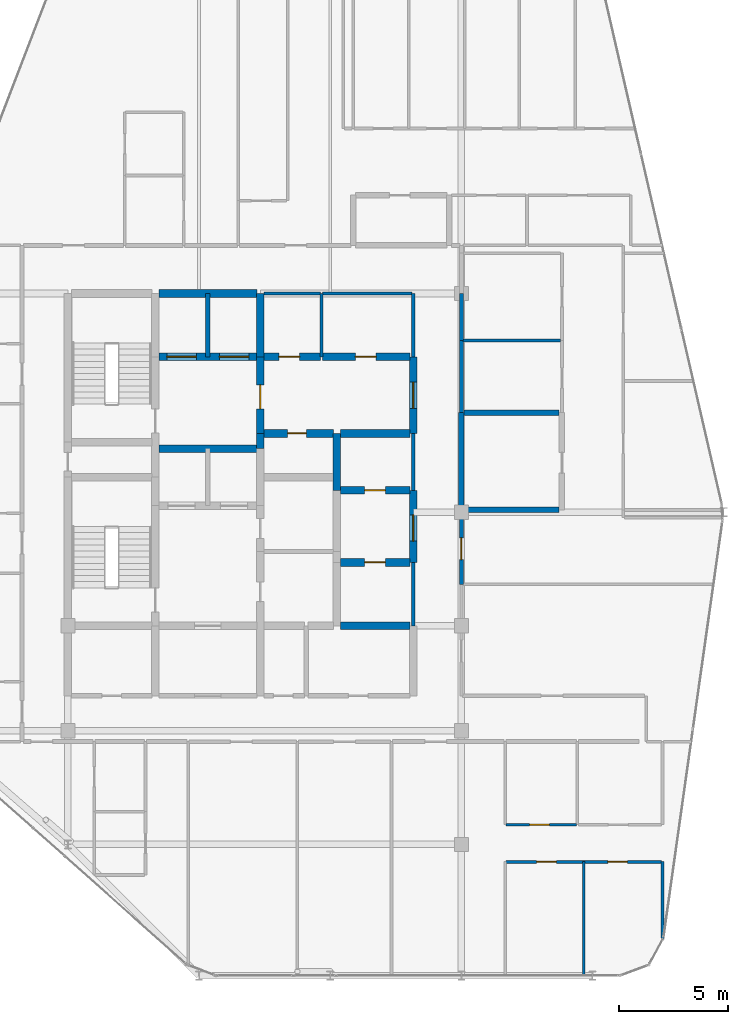
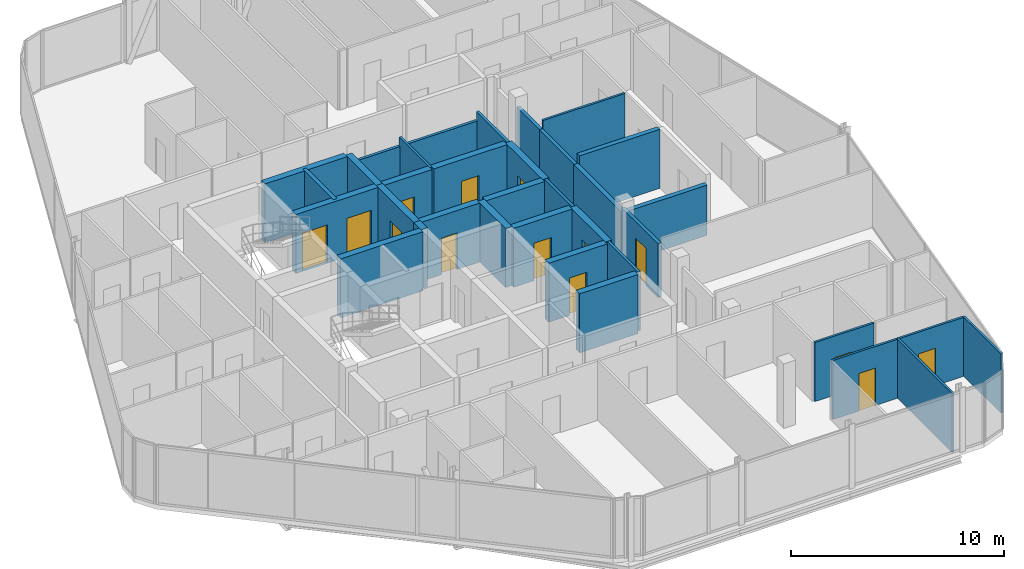
# One storey, part 24 of 27: 34 walls, 14 doors, 14 openings.
"""IFC4 building model written with IfcOpenShell, lengths in metres."""

from ifc_helpers import new_model, si_unit, direction, frame, frame_2d, origin, place, context, subcontext, project, spatial, rectangle, extrude, material, layer, layer_set, type_object, element, fill, save


model = new_model("IFC4")

# Units and contexts
model_context = context("Model", 3, precision=1e-05, world=origin(), true_north=direction((0.0, 1.0)))
body_context = subcontext(model_context, "Body", "Model", "MODEL_VIEW")
ifc_project = project(units=[si_unit("LENGTHUNIT", "METRE"), si_unit("AREAUNIT", "SQUARE_METRE"), si_unit("VOLUMEUNIT", "CUBIC_METRE"), si_unit("PLANEANGLEUNIT", "RADIAN"), si_unit("MASSUNIT", "GRAM", prefix="KILO")], contexts=[model_context])

# Site, building, storey
site_placement = place(None, origin())
site = spatial("IfcSite", under=ifc_project, at=site_placement, CompositionType="ELEMENT")
building_placement = place(site_placement, origin())
building = spatial("IfcBuilding", under=site, at=building_placement, Name="Keshet Zoharim Tower", CompositionType="ELEMENT")
storey_placement = place(building_placement, frame((0.0, 0.0, 291.699951171875)))
storey = spatial("IfcBuildingStorey", under=building, at=storey_placement, Name="L73", CompositionType="ELEMENT", Elevation=291.699951171875)

# Walls
ifc_material_1 = material(Name="Gypsum Plasterboard", Category="gypsum")
ifc_layer_1 = layer(ifc_material_1, 0.14990234375)
ifc_layer_set_1 = layer_set([ifc_layer_1], Name="Gypsum Plasterboard")
wall_type_1 = type_object("IfcWallType", Name="WL-CLIN-150", PredefinedType="STANDARD", material=ifc_layer_set_1)
wall_1_placement = place(storey_placement, frame((30.800048828125, 22.699951171875, 0.0), z_axis=(0.0, 0.0, 1.0), x_axis=(0.0, 1.0, 0.0)))
element("IfcWall", 1, at=wall_1_placement, inside=storey, type_object=wall_type_1, Name="L73 Interior Wall 055", PredefinedType="STANDARD", context=body_context, shape_type="SweptSolid", body=[
    extrude(rectangle(XDim=2.900146484375, YDim=0.14990234375, at=frame_2d((1.4501953125, 0.0))), origin(), (0.0, 0.0, 1.0), 3.39013671875),
])
wall_2_placement = place(storey_placement, frame((30.800048828125, 28.89990234375, 0.0), z_axis=(0.0, 0.0, 1.0), x_axis=(0.0, 1.0, 0.0)))
element("IfcWall", 2, at=wall_2_placement, inside=storey, type_object=wall_type_1, Name="L73 Interior Wall 057", PredefinedType="STANDARD", context=body_context, shape_type="SweptSolid", body=[
    extrude(rectangle(XDim=2.60009765625, YDim=0.14990234375, at=frame_2d((1.300048828125, 0.0))), origin(), (0.0, 0.0, 1.0), 3.39013671875),
])
wall_3_placement = place(storey_placement, frame((30.800048828125, 35.0, 0.0), z_axis=(0.0, 0.0, 1.0), x_axis=(0.0, 1.0, 0.0)))
element("IfcWall", 3, at=wall_3_placement, inside=storey, type_object=wall_type_1, Name="L73 Interior Wall 059", PredefinedType="STANDARD", context=body_context, shape_type="SweptSolid", body=[
    extrude(rectangle(XDim=2.89990234375, YDim=0.14990234375, at=frame_2d((1.449951171875, 0.0))), origin(), (0.0, 0.0, 1.0), 3.39013671875),
])
wall_4_placement = place(storey_placement, frame((23.9599609375, 37.89990234375, 0.0), z_axis=(0.0, 0.0, 1.0), x_axis=(1.0, 0.0, 0.0)))
element("IfcWall", 4, at=wall_4_placement, inside=storey, type_object=wall_type_1, Name="L73 Interior Wall 147", PredefinedType="STANDARD", context=body_context, shape_type="SweptSolid", body=[
    extrude(rectangle(XDim=2.594970703125, YDim=0.14990234375, at=frame_2d((1.29736328125, 0.0))), origin(), (0.0, 0.0, 1.0), 2.89013671875),
])
wall_5_placement = place(storey_placement, frame((26.64501953125, 37.89990234375, 0.0), z_axis=(0.0, 0.0, 1.0), x_axis=(1.0, 0.0, 0.0)))
element("IfcWall", 5, at=wall_5_placement, inside=storey, type_object=wall_type_1, Name="L73 Interior Wall 148", PredefinedType="STANDARD", context=body_context, shape_type="SweptSolid", body=[
    extrude(rectangle(XDim=4.094970703125, YDim=0.14990234375, at=frame_2d((2.04736328125, 0.0))), origin(), (0.0, 0.0, 1.0), 2.89013671875),
])
ifc_material_2 = material(Name="Concrete C60/75", Category="concrete")
ifc_layer_2 = layer(ifc_material_2, 0.35009765625)
ifc_layer_set_2 = layer_set([ifc_layer_2], Name="Concrete C60/75")
wall_type_2 = type_object("IfcWallType", Name="WL-CORE-350", PredefinedType="SHEAR", material=ifc_layer_set_2)
wall_6_placement = place(storey_placement, frame((23.800048828125, 30.800048828125, 0.0), z_axis=(0.0, 0.0, 1.0), x_axis=(0.0, 1.0, 0.0)))
element("IfcWall", 6, at=wall_6_placement, inside=storey, type_object=wall_type_2, Name="L73 Core Shear Wall 038", PredefinedType="SHEAR", context=body_context, shape_type="SweptSolid", body=[
    extrude(rectangle(XDim=0.699951171875, YDim=0.35009765625, at=frame_2d((0.35009765625, 0.0))), origin(), (0.0, 0.0, 1.0), 3.39013671875),
])

# Wall, opening, door
wall_7_placement = place(storey_placement, frame((23.800048828125, 31.5, 0.0), z_axis=(0.0, 0.0, 1.0), x_axis=(0.0, 1.0, 0.0)))
wall_7 = element("IfcWall", 7, at=wall_7_placement, inside=storey, type_object=wall_type_2, Name="L73 Core Shear Wall 039", PredefinedType="SHEAR", context=body_context, shape_type="SweptSolid", body=[
    extrude(rectangle(XDim=3.5, YDim=0.35009765625, at=frame_2d((1.75, 0.0))), origin(), (0.0, 0.0, 1.0), 3.39013671875),
])
opening_1_placement = place(wall_7_placement, frame((1.126953125, 0.0, 0.0)))
opening_1 = element("IfcOpeningElement", 8, at=opening_1_placement, cuts=wall_7, Name="Opening D-F611", PredefinedType="OPENING", context=body_context, shape_type="SweptSolid", body=[
    extrude(rectangle(XDim=1.10009765625, YDim=2.14990234375, at=frame_2d((0.550048828125, 1.074951171875))), frame((0.0, 0.18505859375, 0.0), z_axis=(0.0, -1.0, 0.0), x_axis=(1.0, 0.0, 0.0)), (0.0, 0.0, 1.0), 0.3701171875),
])
ifc_material_3 = material(Name="Hardwood Timber", Category="wood")
door_type_1 = type_object("IfcDoorType", Name="DR-FD60-110", OperationType="NOTDEFINED", PredefinedType="DOOR", material=ifc_material_3)
door_1_placement = place(opening_1_placement, origin())
door_1 = element("IfcDoor", 9, at=door_1_placement, inside=storey, type_object=door_type_1, Name="L73 Firefighting Lobby Fire Door", OperationType="SINGLE_SWING_LEFT", OverallHeight=2.14990234375, OverallWidth=1.10009765625, PredefinedType="DOOR", context=body_context, shape_type="SweptSolid", body=[
    extrude(rectangle(XDim=1.10009765625, YDim=2.14990234375, at=frame_2d((0.550048828125, 1.074951171875))), frame((0.0, 0.02490234375, 0.0), z_axis=(0.0, -1.0, 0.0), x_axis=(1.0, 0.0, 0.0)), (0.0, 0.0, 1.0), 0.050048828125),
])
fill(opening_1, door_1)

# Walls
wall_8_placement = place(storey_placement, frame((23.800048828125, 35.0, 0.0), z_axis=(0.0, 0.0, 1.0), x_axis=(0.0, 1.0, 0.0)))
element("IfcWall", 10, at=wall_8_placement, inside=storey, type_object=wall_type_2, Name="L73 Core Shear Wall 040", PredefinedType="SHEAR", context=body_context, shape_type="SweptSolid", body=[
    extrude(rectangle(XDim=2.89990234375, YDim=0.35009765625, at=frame_2d((1.449951171875, 0.0))), origin(), (0.0, 0.0, 1.0), 3.39013671875),
])
wall_9_placement = place(storey_placement, frame((27.300048828125, 28.89990234375, 0.0), z_axis=(0.0, 0.0, 1.0), x_axis=(0.0, 1.0, 0.0)))
element("IfcWall", 11, at=wall_9_placement, inside=storey, type_object=wall_type_2, Name="L73 Core Shear Wall 048", PredefinedType="SHEAR", context=body_context, shape_type="SweptSolid", body=[
    extrude(rectangle(XDim=2.60009765625, YDim=0.35009765625, at=frame_2d((1.300048828125, 0.0))), origin(), (0.0, 0.0, 1.0), 3.39013671875),
])

# Wall, opening, door
wall_10_placement = place(storey_placement, frame((30.800048828125, 25.60009765625, 0.0), z_axis=(0.0, 0.0, 1.0), x_axis=(0.0, 1.0, 0.0)))
wall_10 = element("IfcWall", 12, at=wall_10_placement, inside=storey, type_object=wall_type_2, Name="L73 Core Shear Wall 056", PredefinedType="SHEAR", context=body_context, shape_type="SweptSolid", body=[
    extrude(rectangle(XDim=3.2998046875, YDim=0.35009765625, at=frame_2d((1.64990234375, 0.0))), origin(), (0.0, 0.0, 1.0), 3.39013671875),
])
opening_2_placement = place(wall_10_placement, frame((0.97802734375, 0.0, 0.0)))
opening_2 = element("IfcOpeningElement", 13, at=opening_2_placement, cuts=wall_10, Name="Opening D-F612", PredefinedType="OPENING", context=body_context, shape_type="SweptSolid", body=[
    extrude(rectangle(XDim=1.199951171875, YDim=2.199951171875, at=frame_2d((0.60009765625, 1.10009765625))), frame((0.0, 0.18505859375, 0.0), z_axis=(0.0, -1.0, 0.0), x_axis=(1.0, 0.0, 0.0)), (0.0, 0.0, 1.0), 0.3701171875),
])
door_type_2 = type_object("IfcDoorType", Name="DR-FD60-120", OperationType="NOTDEFINED", PredefinedType="DOOR", material=ifc_material_3)
door_2_placement = place(opening_2_placement, origin())
door_2 = element("IfcDoor", 14, at=door_2_placement, inside=storey, type_object=door_type_2, Name="L73 East Lift Lobby Fire Door", OperationType="SINGLE_SWING_RIGHT", OverallHeight=2.199951171875, OverallWidth=1.199951171875, PredefinedType="DOOR", context=body_context, shape_type="SweptSolid", body=[
    extrude(rectangle(XDim=1.199951171875, YDim=2.199951171875, at=frame_2d((0.60009765625, 1.10009765625))), frame((0.0, 0.02490234375, 0.0), z_axis=(0.0, -1.0, 0.0), x_axis=(1.0, 0.0, 0.0)), (0.0, 0.0, 1.0), 0.050048828125),
])
fill(opening_2, door_2)

wall_11_placement = place(storey_placement, frame((30.800048828125, 31.5, 0.0), z_axis=(0.0, 0.0, 1.0), x_axis=(0.0, 1.0, 0.0)))
wall_11 = element("IfcWall", 15, at=wall_11_placement, inside=storey, type_object=wall_type_2, Name="L73 Core Shear Wall 058", PredefinedType="SHEAR", context=body_context, shape_type="SweptSolid", body=[
    extrude(rectangle(XDim=3.5, YDim=0.35009765625, at=frame_2d((1.75, 0.0))), origin(), (0.0, 0.0, 1.0), 3.39013671875),
])
opening_3_placement = place(wall_11_placement, frame((1.14990234375, 0.0, 0.0)))
opening_3 = element("IfcOpeningElement", 16, at=opening_3_placement, cuts=wall_11, Name="Opening D-F612", PredefinedType="OPENING", context=body_context, shape_type="SweptSolid", body=[
    extrude(rectangle(XDim=1.199951171875, YDim=2.199951171875, at=frame_2d((0.60009765625, 1.10009765625))), frame((0.0, 0.18505859375, 0.0), z_axis=(0.0, -1.0, 0.0), x_axis=(1.0, 0.0, 0.0)), (0.0, 0.0, 1.0), 0.3701171875),
])
door_3_placement = place(opening_3_placement, origin())
door_3 = element("IfcDoor", 17, at=door_3_placement, inside=storey, type_object=door_type_2, Name="L73 North Lift Lobby East Fire Door", OperationType="SINGLE_SWING_LEFT", OverallHeight=2.199951171875, OverallWidth=1.199951171875, PredefinedType="DOOR", context=body_context, shape_type="SweptSolid", body=[
    extrude(rectangle(XDim=1.199951171875, YDim=2.199951171875, at=frame_2d((0.60009765625, 1.10009765625))), frame((0.0, 0.02490234375, 0.0), z_axis=(0.0, -1.0, 0.0), x_axis=(1.0, 0.0, 0.0)), (0.0, 0.0, 1.0), 0.050048828125),
])
fill(opening_3, door_3)

# Wall
wall_12_placement = place(storey_placement, frame((27.4599609375, 22.699951171875, 0.0), z_axis=(0.0, 0.0, 1.0), x_axis=(1.0, 0.0, 0.0)))
element("IfcWall", 18, at=wall_12_placement, inside=storey, type_object=wall_type_2, Name="L73 Core Shear Wall 113", PredefinedType="SHEAR", context=body_context, shape_type="SweptSolid", body=[
    extrude(rectangle(XDim=3.179931640625, YDim=0.35009765625, at=frame_2d((1.58984375, 0.0))), origin(), (0.0, 0.0, 1.0), 3.39013671875),
])

# Wall, opening, door
wall_13_placement = place(storey_placement, frame((27.4599609375, 25.60009765625, 0.0), z_axis=(0.0, 0.0, 1.0), x_axis=(1.0, 0.0, 0.0)))
wall_13 = element("IfcWall", 19, at=wall_13_placement, inside=storey, type_object=wall_type_2, Name="L73 Core Shear Wall 118", PredefinedType="SHEAR", context=body_context, shape_type="SweptSolid", body=[
    extrude(rectangle(XDim=3.179931640625, YDim=0.35009765625, at=frame_2d((1.58984375, 0.0))), origin(), (0.0, 0.0, 1.0), 3.39013671875),
])
opening_4_placement = place(wall_13_placement, frame((1.114990234375, 0.0, 0.0)))
opening_4 = element("IfcOpeningElement", 20, at=opening_4_placement, cuts=wall_13, Name="Opening D-F695", PredefinedType="OPENING", context=body_context, shape_type="SweptSolid", body=[
    extrude(rectangle(XDim=0.949951171875, YDim=2.14990234375, at=frame_2d((0.47509765625, 1.074951171875))), frame((0.0, 0.18505859375, 0.0), z_axis=(0.0, -1.0, 0.0), x_axis=(1.0, 0.0, 0.0)), (0.0, 0.0, 1.0), 0.3701171875),
])
door_type_3 = type_object("IfcDoorType", Name="DR-FD60-095", OperationType="NOTDEFINED", PredefinedType="DOOR", material=ifc_material_3)
door_4_placement = place(opening_4_placement, origin())
door_4 = element("IfcDoor", 21, at=door_4_placement, inside=storey, type_object=door_type_3, Name="L73 Study Alcove Door", OperationType="SINGLE_SWING_RIGHT", OverallHeight=2.14990234375, OverallWidth=0.949951171875, PredefinedType="DOOR", context=body_context, shape_type="SweptSolid", body=[
    extrude(rectangle(XDim=0.949951171875, YDim=2.14990234375, at=frame_2d((0.47509765625, 1.074951171875))), frame((0.0, 0.02490234375, 0.0), z_axis=(0.0, -1.0, 0.0), x_axis=(1.0, 0.0, 0.0)), (0.0, 0.0, 1.0), 0.050048828125),
])
fill(opening_4, door_4)

wall_14_placement = place(storey_placement, frame((27.4599609375, 28.89990234375, 0.0), z_axis=(0.0, 0.0, 1.0), x_axis=(1.0, 0.0, 0.0)))
wall_14 = element("IfcWall", 22, at=wall_14_placement, inside=storey, type_object=wall_type_2, Name="L73 Core Shear Wall 127", PredefinedType="SHEAR", context=body_context, shape_type="SweptSolid", body=[
    extrude(rectangle(XDim=3.179931640625, YDim=0.35009765625, at=frame_2d((1.58984375, 0.0))), origin(), (0.0, 0.0, 1.0), 3.39013671875),
])
opening_5_placement = place(wall_14_placement, frame((1.114990234375, 0.0, 0.0)))
opening_5 = element("IfcOpeningElement", 23, at=opening_5_placement, cuts=wall_14, Name="Opening D-F695", PredefinedType="OPENING", context=body_context, shape_type="SweptSolid", body=[
    extrude(rectangle(XDim=0.949951171875, YDim=2.14990234375, at=frame_2d((0.47509765625, 1.074951171875))), frame((0.0, 0.18505859375, 0.0), z_axis=(0.0, -1.0, 0.0), x_axis=(1.0, 0.0, 0.0)), (0.0, 0.0, 1.0), 0.3701171875),
])
door_5_placement = place(opening_5_placement, frame((0.949951171875, 0.0, 0.0), z_axis=(0.0, 0.0, 1.0), x_axis=(-1.0, 0.0, 0.0)))
door_5 = element("IfcDoor", 24, at=door_5_placement, inside=storey, type_object=door_type_3, Name="L73 Parcel Store Door", OperationType="SINGLE_SWING_RIGHT", OverallHeight=2.14990234375, OverallWidth=0.949951171875, PredefinedType="DOOR", context=body_context, shape_type="SweptSolid", body=[
    extrude(rectangle(XDim=0.949951171875, YDim=2.14990234375, at=frame_2d((0.47509765625, 1.074951171875))), frame((0.0, 0.02490234375, 0.0), z_axis=(0.0, -1.0, 0.0), x_axis=(1.0, 0.0, 0.0)), (0.0, 0.0, 1.0), 0.050048828125),
])
fill(opening_5, door_5)

# Wall
wall_15_placement = place(storey_placement, frame((19.159912109375, 30.800048828125, 0.0), z_axis=(0.0, 0.0, 1.0), x_axis=(1.0, 0.0, 0.0)))
element("IfcWall", 25, at=wall_15_placement, inside=storey, type_object=wall_type_2, Name="L73 Core Shear Wall 130", PredefinedType="SHEAR", context=body_context, shape_type="SweptSolid", body=[
    extrude(rectangle(XDim=4.47998046875, YDim=0.35009765625, at=frame_2d((2.239990234375, 0.0))), origin(), (0.0, 0.0, 1.0), 3.39013671875),
])

# Wall, opening, door
wall_16_placement = place(storey_placement, frame((23.9599609375, 31.5, 0.0), z_axis=(0.0, 0.0, 1.0), x_axis=(1.0, 0.0, 0.0)))
wall_16 = element("IfcWall", 26, at=wall_16_placement, inside=storey, type_object=wall_type_2, Name="L73 Core Shear Wall 132", PredefinedType="SHEAR", context=body_context, shape_type="SweptSolid", body=[
    extrude(rectangle(XDim=3.179931640625, YDim=0.35009765625, at=frame_2d((1.58984375, 0.0))), origin(), (0.0, 0.0, 1.0), 3.39013671875),
])
opening_6_placement = place(wall_16_placement, frame((1.093994140625, 0.0, 0.0)))
opening_6 = element("IfcOpeningElement", 27, at=opening_6_placement, cuts=wall_16, Name="Opening D-RS85", PredefinedType="OPENING", context=body_context, shape_type="SweptSolid", body=[
    extrude(rectangle(XDim=0.85009765625, YDim=2.10009765625, at=frame_2d((0.425048828125, 1.050048828125))), frame((0.0, 0.18505859375, 0.0), z_axis=(0.0, -1.0, 0.0), x_axis=(1.0, 0.0, 0.0)), (0.0, 0.0, 1.0), 0.3701171875),
])
door_type_4 = type_object("IfcDoorType", Name="DR-RIS-085", OperationType="NOTDEFINED", PredefinedType="DOOR", material=ifc_material_3)
door_6_placement = place(opening_6_placement, origin())
door_6 = element("IfcDoor", 28, at=door_6_placement, inside=storey, type_object=door_type_4, Name="L73 Telecom Riser Access Cupboard Door", OperationType="SINGLE_SWING_LEFT", OverallHeight=2.10009765625, OverallWidth=0.85009765625, PredefinedType="DOOR", context=body_context, shape_type="SweptSolid", body=[
    extrude(rectangle(XDim=0.85009765625, YDim=2.10009765625, at=frame_2d((0.425048828125, 1.050048828125))), frame((0.0, 0.02490234375, 0.0), z_axis=(0.0, -1.0, 0.0), x_axis=(1.0, 0.0, 0.0)), (0.0, 0.0, 1.0), 0.050048828125),
])
fill(opening_6, door_6)

# Wall
wall_17_placement = place(storey_placement, frame((27.4599609375, 31.5, 0.0), z_axis=(0.0, 0.0, 1.0), x_axis=(1.0, 0.0, 0.0)))
element("IfcWall", 29, at=wall_17_placement, inside=storey, type_object=wall_type_2, Name="L73 Core Shear Wall 133", PredefinedType="SHEAR", context=body_context, shape_type="SweptSolid", body=[
    extrude(rectangle(XDim=3.179931640625, YDim=0.35009765625, at=frame_2d((1.58984375, 0.0))), origin(), (0.0, 0.0, 1.0), 3.39013671875),
])

# Wall, openings, doors
wall_18_placement = place(storey_placement, frame((19.159912109375, 35.0, 0.0), z_axis=(0.0, 0.0, 1.0), x_axis=(1.0, 0.0, 0.0)))
wall_18 = element("IfcWall", 30, at=wall_18_placement, inside=storey, type_object=wall_type_2, Name="L73 Core Shear Wall 139", PredefinedType="SHEAR", context=body_context, shape_type="SweptSolid", body=[
    extrude(rectangle(XDim=4.47998046875, YDim=0.35009765625, at=frame_2d((2.239990234375, 0.0))), origin(), (0.0, 0.0, 1.0), 3.39013671875),
])
opening_7_placement = place(wall_18_placement, frame((0.364990234375, 0.0, 0.0)))
opening_7 = element("IfcOpeningElement", 31, at=opening_7_placement, cuts=wall_18, Name="Opening LD-02", PredefinedType="OPENING", context=body_context, shape_type="SweptSolid", body=[
    extrude(rectangle(XDim=1.35009765625, YDim=2.199951171875, at=frame_2d((0.675048828125, 1.10009765625))), frame((0.0, 0.18505859375, 0.0), z_axis=(0.0, -1.0, 0.0), x_axis=(1.0, 0.0, 0.0)), (0.0, 0.0, 1.0), 0.3701171875),
])
opening_8_placement = place(wall_18_placement, frame((2.764892578125, 0.0, 0.0)))
opening_8 = element("IfcOpeningElement", 32, at=opening_8_placement, cuts=wall_18, Name="Opening LD-02", PredefinedType="OPENING", context=body_context, shape_type="SweptSolid", body=[
    extrude(rectangle(XDim=1.35009765625, YDim=2.199951171875, at=frame_2d((0.675048828125, 1.10009765625))), frame((0.0, 0.18505859375, 0.0), z_axis=(0.0, -1.0, 0.0), x_axis=(1.0, 0.0, 0.0)), (0.0, 0.0, 1.0), 0.3701171875),
])
ifc_material_4 = material(Name="Steel S355", Category="steel")
door_type_5 = type_object("IfcDoorType", Name="DR-LD02-135", OperationType="DOUBLE_DOOR_SLIDING", PredefinedType="DOOR", material=ifc_material_4)
door_7_placement = place(opening_7_placement, origin())
door_7 = element("IfcDoor", 33, at=door_7_placement, inside=storey, type_object=door_type_5, Name="L73 Firefighting Lift Landing Door FF-01", OperationType="DOUBLE_DOOR_SLIDING", OverallHeight=2.199951171875, OverallWidth=1.35009765625, PredefinedType="DOOR", context=body_context, shape_type="SweptSolid", body=[
    extrude(rectangle(XDim=1.35009765625, YDim=2.199951171875, at=frame_2d((0.675048828125, 1.10009765625))), frame((0.0, 0.02490234375, 0.0), z_axis=(0.0, -1.0, 0.0), x_axis=(1.0, 0.0, 0.0)), (0.0, 0.0, 1.0), 0.050048828125),
])
fill(opening_7, door_7)
door_8_placement = place(opening_8_placement, origin())
door_8 = element("IfcDoor", 34, at=door_8_placement, inside=storey, type_object=door_type_5, Name="L73 Firefighting Lift Landing Door FF-02", OperationType="DOUBLE_DOOR_SLIDING", OverallHeight=2.199951171875, OverallWidth=1.35009765625, PredefinedType="DOOR", context=body_context, shape_type="SweptSolid", body=[
    extrude(rectangle(XDim=1.35009765625, YDim=2.199951171875, at=frame_2d((0.675048828125, 1.10009765625))), frame((0.0, 0.02490234375, 0.0), z_axis=(0.0, -1.0, 0.0), x_axis=(1.0, 0.0, 0.0)), (0.0, 0.0, 1.0), 0.050048828125),
])
fill(opening_8, door_8)

# Wall, opening, door
wall_19_placement = place(storey_placement, frame((23.9599609375, 35.0, 0.0), z_axis=(0.0, 0.0, 1.0), x_axis=(1.0, 0.0, 0.0)))
wall_19 = element("IfcWall", 35, at=wall_19_placement, inside=storey, type_object=wall_type_2, Name="L73 Core Shear Wall 140", PredefinedType="SHEAR", context=body_context, shape_type="SweptSolid", body=[
    extrude(rectangle(XDim=2.594970703125, YDim=0.35009765625, at=frame_2d((1.29736328125, 0.0))), origin(), (0.0, 0.0, 1.0), 3.39013671875),
])
opening_9_placement = place(wall_19_placement, frame((0.69091796875, 0.0, 0.0)))
opening_9 = element("IfcOpeningElement", 36, at=opening_9_placement, cuts=wall_19, Name="Opening D-F695", PredefinedType="OPENING", context=body_context, shape_type="SweptSolid", body=[
    extrude(rectangle(XDim=0.949951171875, YDim=2.14990234375, at=frame_2d((0.47509765625, 1.074951171875))), frame((0.0, 0.18505859375, 0.0), z_axis=(0.0, -1.0, 0.0), x_axis=(1.0, 0.0, 0.0)), (0.0, 0.0, 1.0), 0.3701171875),
])
door_9_placement = place(opening_9_placement, frame((0.949951171875, 0.0, 0.0), z_axis=(0.0, 0.0, 1.0), x_axis=(-1.0, 0.0, 0.0)))
door_9 = element("IfcDoor", 37, at=door_9_placement, inside=storey, type_object=door_type_3, Name="L73 Laundry Room Door", OperationType="SINGLE_SWING_RIGHT", OverallHeight=2.14990234375, OverallWidth=0.949951171875, PredefinedType="DOOR", context=body_context, shape_type="SweptSolid", body=[
    extrude(rectangle(XDim=0.949951171875, YDim=2.14990234375, at=frame_2d((0.47509765625, 1.074951171875))), frame((0.0, 0.02490234375, 0.0), z_axis=(0.0, -1.0, 0.0), x_axis=(1.0, 0.0, 0.0)), (0.0, 0.0, 1.0), 0.050048828125),
])
fill(opening_9, door_9)

wall_20_placement = place(storey_placement, frame((26.64501953125, 35.0, 0.0), z_axis=(0.0, 0.0, 1.0), x_axis=(1.0, 0.0, 0.0)))
wall_20 = element("IfcWall", 38, at=wall_20_placement, inside=storey, type_object=wall_type_2, Name="L73 Core Shear Wall 141", PredefinedType="SHEAR", context=body_context, shape_type="SweptSolid", body=[
    extrude(rectangle(XDim=3.994873046875, YDim=0.35009765625, at=frame_2d((1.99755859375, 0.0))), origin(), (0.0, 0.0, 1.0), 3.39013671875),
])
opening_10_placement = place(wall_20_placement, frame((1.508056640625, 0.0, 0.0)))
opening_10 = element("IfcOpeningElement", 39, at=opening_10_placement, cuts=wall_20, Name="Opening D-F695", PredefinedType="OPENING", context=body_context, shape_type="SweptSolid", body=[
    extrude(rectangle(XDim=0.949951171875, YDim=2.14990234375, at=frame_2d((0.47509765625, 1.074951171875))), frame((0.0, 0.18505859375, 0.0), z_axis=(0.0, -1.0, 0.0), x_axis=(1.0, 0.0, 0.0)), (0.0, 0.0, 1.0), 0.3701171875),
])
door_10_placement = place(opening_10_placement, frame((0.949951171875, 0.0, 0.0), z_axis=(0.0, 0.0, 1.0), x_axis=(-1.0, 0.0, 0.0)))
door_10 = element("IfcDoor", 40, at=door_10_placement, inside=storey, type_object=door_type_3, Name="L73 Quiet Study Room Door", OperationType="SINGLE_SWING_LEFT", OverallHeight=2.14990234375, OverallWidth=0.949951171875, PredefinedType="DOOR", context=body_context, shape_type="SweptSolid", body=[
    extrude(rectangle(XDim=0.949951171875, YDim=2.14990234375, at=frame_2d((0.47509765625, 1.074951171875))), frame((0.0, 0.02490234375, 0.0), z_axis=(0.0, -1.0, 0.0), x_axis=(1.0, 0.0, 0.0)), (0.0, 0.0, 1.0), 0.050048828125),
])
fill(opening_10, door_10)

# Wall
wall_21_placement = place(storey_placement, frame((19.159912109375, 37.89990234375, 0.0), z_axis=(0.0, 0.0, 1.0), x_axis=(1.0, 0.0, 0.0)))
element("IfcWall", 41, at=wall_21_placement, inside=storey, type_object=wall_type_2, Name="L73 Core Shear Wall 146", PredefinedType="SHEAR", context=body_context, shape_type="SweptSolid", body=[
    extrude(rectangle(XDim=4.47998046875, YDim=0.35009765625, at=frame_2d((2.239990234375, 0.0))), origin(), (0.0, 0.0, 1.0), 3.39013671875),
])

# Wall, opening, door
ifc_layer_3 = layer(ifc_material_1, 0.179931640625)
ifc_layer_set_3 = layer_set([ifc_layer_3], Name="Gypsum Plasterboard")
wall_type_3 = type_object("IfcWallType", Name="WL-CORR-180", PredefinedType="STANDARD", material=ifc_layer_set_3)
wall_22_placement = place(storey_placement, frame((33.0, 24.60009765625, 0.0), z_axis=(0.0, 0.0, 1.0), x_axis=(0.0, 1.0, 0.0)))
wall_22 = element("IfcWall", 42, at=wall_22_placement, inside=storey, type_object=wall_type_3, Name="L73 Interior Wall 062", PredefinedType="STANDARD", context=body_context, shape_type="SweptSolid", body=[
    extrude(rectangle(XDim=3.39990234375, YDim=0.179931640625, at=frame_2d((1.699951171875, 0.0))), origin(), (0.0, 0.0, 1.0), 3.10009765625),
])
opening_11_placement = place(wall_22_placement, frame((1.126953125, 0.0, 0.0)))
opening_11 = element("IfcOpeningElement", 43, at=opening_11_placement, cuts=wall_22, Name="Opening D-F310", PredefinedType="OPENING", context=body_context, shape_type="SweptSolid", body=[
    extrude(rectangle(XDim=1.0, YDim=2.14990234375, at=frame_2d((0.5, 1.074951171875))), frame((0.0, 0.10009765625, 0.0), z_axis=(0.0, -1.0, 0.0), x_axis=(1.0, 0.0, 0.0)), (0.0, 0.0, 1.0), 0.199951171875),
])
door_type_6 = type_object("IfcDoorType", Name="DR-FD30-100", OperationType="NOTDEFINED", PredefinedType="DOOR", material=ifc_material_3)
door_11_placement = place(opening_11_placement, origin())
door_11 = element("IfcDoor", 44, at=door_11_placement, inside=storey, type_object=door_type_6, Name="Apartment 7308 Entrance Door", OperationType="SINGLE_SWING_LEFT", OverallHeight=2.14990234375, OverallWidth=1.0, PredefinedType="DOOR", context=body_context, shape_type="SweptSolid", body=[
    extrude(rectangle(XDim=1.0, YDim=2.14990234375, at=frame_2d((0.5, 1.074951171875))), frame((0.0, 0.02490234375, 0.0), z_axis=(0.0, -1.0, 0.0), x_axis=(1.0, 0.0, 0.0)), (0.0, 0.0, 1.0), 0.050048828125),
])
fill(opening_11, door_11)

# Walls
wall_23_placement = place(storey_placement, frame((33.0, 32.465087890625, 0.0), z_axis=(0.0, 0.0, 1.0), x_axis=(0.0, 1.0, 0.0)))
element("IfcWall", 45, at=wall_23_placement, inside=storey, type_object=wall_type_3, Name="L73 Interior Wall 064", PredefinedType="STANDARD", context=body_context, shape_type="SweptSolid", body=[
    extrude(rectangle(XDim=3.289794921875, YDim=0.179931640625, at=frame_2d((1.64501953125, 0.0))), origin(), (0.0, 0.0, 1.0), 2.89013671875),
])
wall_24_placement = place(storey_placement, frame((33.0, 35.7548828125, 0.0), z_axis=(0.0, 0.0, 1.0), x_axis=(0.0, 1.0, 0.0)))
element("IfcWall", 46, at=wall_24_placement, inside=storey, type_object=wall_type_3, Name="L73 Interior Wall 065", PredefinedType="STANDARD", context=body_context, shape_type="SweptSolid", body=[
    extrude(rectangle(XDim=2.14501953125, YDim=0.179931640625, at=frame_2d((1.072509765625, 0.0))), origin(), (0.0, 0.0, 1.0), 2.89013671875),
])
ifc_material_5 = material(Name="Concrete C50/60", Category="concrete")
ifc_layer_4 = layer(ifc_material_5, 0.199951171875)
ifc_layer_set_4 = layer_set([ifc_layer_4], Name="Concrete C50/60")
wall_type_4 = type_object("IfcWallType", Name="WL-FIRE-200", PredefinedType="STANDARD", material=ifc_layer_set_4)
wall_25_placement = place(storey_placement, frame((21.39990234375, 35.0, 0.0), z_axis=(0.0, 0.0, 1.0), x_axis=(0.0, 1.0, 0.0)))
element("IfcWall", 47, at=wall_25_placement, inside=storey, type_object=wall_type_4, Name="L73 Interior Wall 032", PredefinedType="STANDARD", context=body_context, shape_type="SweptSolid", body=[
    extrude(rectangle(XDim=2.89990234375, YDim=0.199951171875, at=frame_2d((1.449951171875, 0.0))), origin(), (0.0, 0.0, 1.0), 3.39013671875),
])
ifc_layer_5 = layer(ifc_material_5, 0.25)
ifc_layer_set_5 = layer_set([ifc_layer_5], Name="Concrete C50/60")
wall_type_5 = type_object("IfcWallType", Name="WL-MAMAD-250", PredefinedType="STANDARD", material=ifc_layer_set_5)
wall_26_placement = place(storey_placement, frame((33.0, 28.0, 0.0), z_axis=(0.0, 0.0, 1.0), x_axis=(0.0, 1.0, 0.0)))
element("IfcWall", 48, at=wall_26_placement, inside=storey, type_object=wall_type_5, Name="L73 Interior Wall 063", PredefinedType="STANDARD", context=body_context, shape_type="SweptSolid", body=[
    extrude(rectangle(XDim=4.465087890625, YDim=0.25, at=frame_2d((2.232421875, 0.0))), origin(), (0.0, 0.0, 1.0), 2.89013671875),
])
wall_27_placement = place(storey_placement, frame((33.110107421875, 28.0, 0.0), z_axis=(0.0, 0.0, 1.0), x_axis=(1.0, 0.0, 0.0)))
element("IfcWall", 49, at=wall_27_placement, inside=storey, type_object=wall_type_5, Name="L73 Interior Wall 124", PredefinedType="STANDARD", context=body_context, shape_type="SweptSolid", body=[
    extrude(rectangle(XDim=4.35986328125, YDim=0.25, at=frame_2d((2.179931640625, 0.0))), origin(), (0.0, 0.0, 1.0), 2.89013671875),
])
wall_28_placement = place(storey_placement, frame((33.110107421875, 32.449951171875, 0.0), z_axis=(0.0, 0.0, 1.0), x_axis=(1.0, 0.0, 0.0)))
element("IfcWall", 50, at=wall_28_placement, inside=storey, type_object=wall_type_5, Name="L73 Interior Wall 134", PredefinedType="STANDARD", context=body_context, shape_type="SweptSolid", body=[
    extrude(rectangle(XDim=4.35986328125, YDim=0.25, at=frame_2d((2.179931640625, 0.0))), origin(), (0.0, 0.0, 1.0), 3.39013671875),
])
ifc_layer_6 = layer(ifc_material_1, 0.1201171875)
ifc_layer_set_6 = layer_set([ifc_layer_6], Name="Gypsum Plasterboard")
wall_type_6 = type_object("IfcWallType", Name="WL-PART-120", PredefinedType="PARTITIONING", material=ifc_layer_set_6)
wall_29_placement = place(storey_placement, frame((26.60009765625, 35.0, 0.0), z_axis=(0.0, 0.0, 1.0), x_axis=(0.0, 1.0, 0.0)))
element("IfcWall", 51, at=wall_29_placement, inside=storey, type_object=wall_type_6, Name="L73 Interior Wall 044", PredefinedType="PARTITIONING", context=body_context, shape_type="SweptSolid", body=[
    extrude(rectangle(XDim=2.89990234375, YDim=0.1201171875, at=frame_2d((1.449951171875, 0.0))), origin(), (0.0, 0.0, 1.0), 3.39013671875),
])
wall_30_placement = place(storey_placement, frame((38.60009765625, 6.7099609375, 0.0), z_axis=(0.0, 0.0, 1.0), x_axis=(0.0, 1.0, 0.0)))
element("IfcWall", 52, at=wall_30_placement, inside=storey, type_object=wall_type_6, Name="L73 Interior Wall 077", PredefinedType="PARTITIONING", context=body_context, shape_type="SweptSolid", body=[
    extrude(rectangle(XDim=5.2099609375, YDim=0.1201171875, at=frame_2d((2.60498046875, 0.0))), origin(), (0.0, 0.0, 1.0), 3.39013671875),
])
wall_31_placement = place(storey_placement, frame((42.199951171875, 8.35107421875, 0.0), z_axis=(0.0, 0.0, 1.0), x_axis=(0.0, 1.0, 0.0)))
element("IfcWall", 53, at=wall_31_placement, inside=storey, type_object=wall_type_6, Name="L73 Interior Wall 083", PredefinedType="PARTITIONING", context=body_context, shape_type="SweptSolid", body=[
    extrude(rectangle(XDim=3.56884765625, YDim=0.1201171875, at=frame_2d((1.784423828125, 0.0))), origin(), (0.0, 0.0, 1.0), 3.39013671875),
])

# Wall, openings, doors
wall_32_placement = place(storey_placement, frame((35.034912109375, 11.89990234375, 0.0), z_axis=(0.0, 0.0, 1.0), x_axis=(1.0, 0.0, 0.0)))
wall_32 = element("IfcWall", 54, at=wall_32_placement, inside=storey, type_object=wall_type_6, Name="L73 Interior Wall 086", PredefinedType="PARTITIONING", context=body_context, shape_type="SweptSolid", body=[
    extrude(rectangle(XDim=7.111083984375, YDim=0.1201171875, at=frame_2d((3.5556640625, 0.0))), origin(), (0.0, 0.0, 1.0), 3.39013671875),
])
opening_12_placement = place(wall_32_placement, frame((1.408935546875, 0.0, 0.0)))
opening_12 = element("IfcOpeningElement", 55, at=opening_12_placement, cuts=wall_32, Name="Opening D-IN90", PredefinedType="OPENING", context=body_context, shape_type="SweptSolid", body=[
    extrude(rectangle(XDim=0.89990234375, YDim=2.14990234375, at=frame_2d((0.449951171875, 1.074951171875))), frame((0.0, 0.070068359375, 0.0), z_axis=(0.0, -1.0, 0.0), x_axis=(1.0, 0.0, 0.0)), (0.0, 0.0, 1.0), 0.14013671875),
])
opening_13_placement = place(wall_32_placement, frame((4.659912109375, 0.0, 0.0)))
opening_13 = element("IfcOpeningElement", 56, at=opening_13_placement, cuts=wall_32, Name="Opening D-IN90", PredefinedType="OPENING", context=body_context, shape_type="SweptSolid", body=[
    extrude(rectangle(XDim=0.89990234375, YDim=2.14990234375, at=frame_2d((0.449951171875, 1.074951171875))), frame((0.0, 0.070068359375, 0.0), z_axis=(0.0, -1.0, 0.0), x_axis=(1.0, 0.0, 0.0)), (0.0, 0.0, 1.0), 0.14013671875),
])
door_type_7 = type_object("IfcDoorType", Name="DR-INT-090", OperationType="NOTDEFINED", PredefinedType="DOOR", material=ifc_material_3)
door_12_placement = place(opening_12_placement, origin())
door_12 = element("IfcDoor", 57, at=door_12_placement, inside=storey, type_object=door_type_7, Name="Apartment 7302 Bedroom 1 Door", OperationType="SINGLE_SWING_LEFT", OverallHeight=2.14990234375, OverallWidth=0.89990234375, PredefinedType="DOOR", context=body_context, shape_type="SweptSolid", body=[
    extrude(rectangle(XDim=0.89990234375, YDim=2.14990234375, at=frame_2d((0.449951171875, 1.074951171875))), frame((0.0, 0.02490234375, 0.0), z_axis=(0.0, -1.0, 0.0), x_axis=(1.0, 0.0, 0.0)), (0.0, 0.0, 1.0), 0.050048828125),
])
fill(opening_12, door_12)
door_13_placement = place(opening_13_placement, origin())
door_13 = element("IfcDoor", 58, at=door_13_placement, inside=storey, type_object=door_type_7, Name="Apartment 7302 Bedroom 2 Door", OperationType="SINGLE_SWING_RIGHT", OverallHeight=2.14990234375, OverallWidth=0.89990234375, PredefinedType="DOOR", context=body_context, shape_type="SweptSolid", body=[
    extrude(rectangle(XDim=0.89990234375, YDim=2.14990234375, at=frame_2d((0.449951171875, 1.074951171875))), frame((0.0, 0.02490234375, 0.0), z_axis=(0.0, -1.0, 0.0), x_axis=(1.0, 0.0, 0.0)), (0.0, 0.0, 1.0), 0.050048828125),
])
fill(opening_13, door_13)

# Wall, opening, door
wall_33_placement = place(storey_placement, frame((35.034912109375, 13.60009765625, 0.0), z_axis=(0.0, 0.0, 1.0), x_axis=(1.0, 0.0, 0.0)))
wall_33 = element("IfcWall", 59, at=wall_33_placement, inside=storey, type_object=wall_type_6, Name="L73 Interior Wall 087", PredefinedType="PARTITIONING", context=body_context, shape_type="SweptSolid", body=[
    extrude(rectangle(XDim=3.22216796875, YDim=0.1201171875, at=frame_2d((1.611083984375, 0.0))), origin(), (0.0, 0.0, 1.0), 3.39013671875),
])
opening_14_placement = place(wall_33_placement, frame((1.087890625, 0.0, 0.0)))
opening_14 = element("IfcOpeningElement", 60, at=opening_14_placement, cuts=wall_33, Name="Opening D-IN90", PredefinedType="OPENING", context=body_context, shape_type="SweptSolid", body=[
    extrude(rectangle(XDim=0.89990234375, YDim=2.14990234375, at=frame_2d((0.449951171875, 1.074951171875))), frame((0.0, 0.070068359375, 0.0), z_axis=(0.0, -1.0, 0.0), x_axis=(1.0, 0.0, 0.0)), (0.0, 0.0, 1.0), 0.14013671875),
])
door_14_placement = place(opening_14_placement, origin())
door_14 = element("IfcDoor", 61, at=door_14_placement, inside=storey, type_object=door_type_7, Name="Apartment 7302 Kitchen Door", OperationType="SINGLE_SWING_LEFT", OverallHeight=2.14990234375, OverallWidth=0.89990234375, PredefinedType="DOOR", context=body_context, shape_type="SweptSolid", body=[
    extrude(rectangle(XDim=0.89990234375, YDim=2.14990234375, at=frame_2d((0.449951171875, 1.074951171875))), frame((0.0, 0.02490234375, 0.0), z_axis=(0.0, -1.0, 0.0), x_axis=(1.0, 0.0, 0.0)), (0.0, 0.0, 1.0), 0.050048828125),
])
fill(opening_14, door_14)

# Wall
ifc_layer_7 = layer(ifc_material_1, 0.1201171875)
ifc_layer_set_7 = layer_set([ifc_layer_7], Name="Gypsum Plasterboard")
wall_type_7 = type_object("IfcWallType", Name="WL-WET-120", PredefinedType="PARTITIONING", material=ifc_layer_set_7)
wall_34_placement = place(storey_placement, frame((33.074951171875, 35.75, 0.0), z_axis=(0.0, 0.0, 1.0), x_axis=(1.0, 0.0, 0.0)))
element("IfcWall", 62, at=wall_34_placement, inside=storey, type_object=wall_type_7, Name="L73 Interior Wall 144", PredefinedType="PARTITIONING", context=body_context, shape_type="SweptSolid", body=[
    extrude(rectangle(XDim=4.4599609375, YDim=0.1201171875, at=frame_2d((2.22998046875, 0.0))), origin(), (0.0, 0.0, 1.0), 3.39013671875),
])

save(model, "model.ifc")
